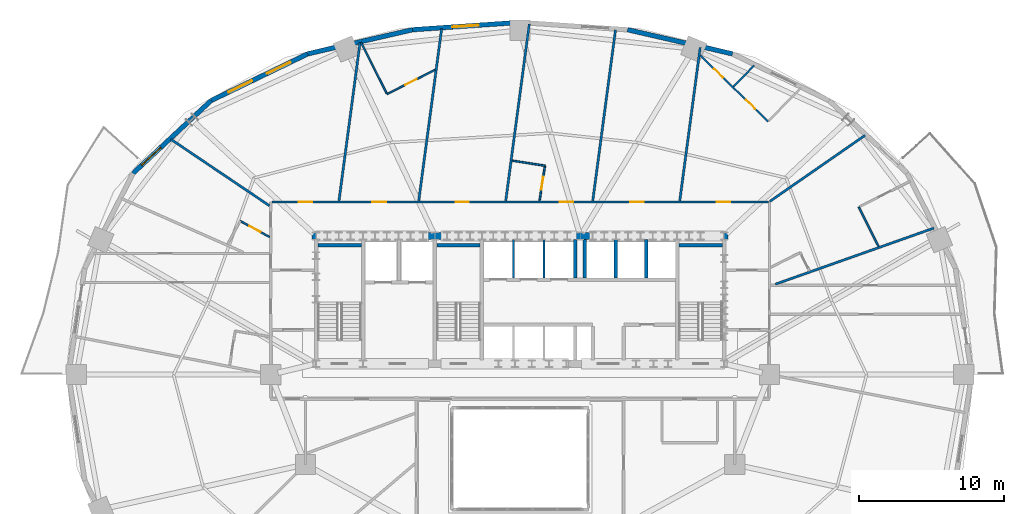
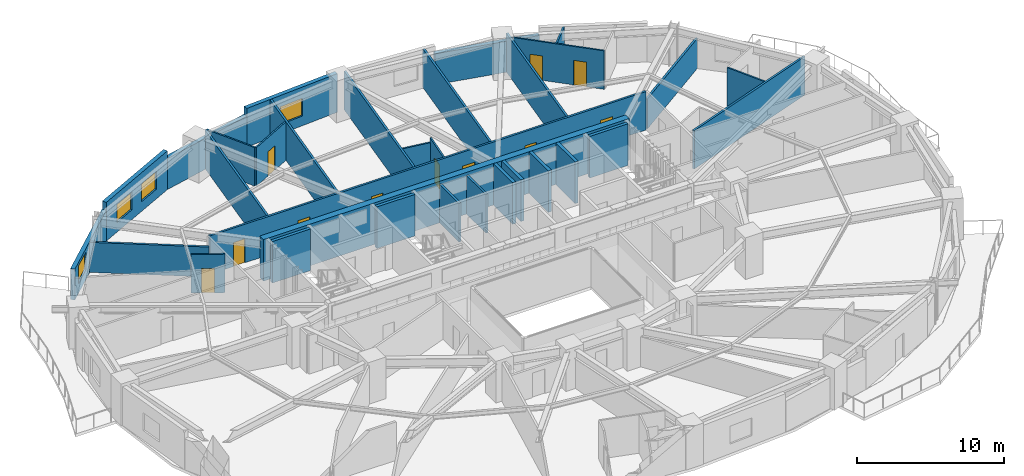
# One storey, part 12 of 17: 32 walls, 11 doors, 4 windows, 15 openings.
"""IFC4 building model written with IfcOpenShell, lengths in metres."""

from ifc_helpers import new_model, si_unit, direction, frame, frame_2d, origin, place, context, subcontext, project, spatial, rectangle, extrude, material, layer, layer_set, type_object, element, fill, save


model = new_model("IFC4")

# Units and contexts
model_context = context("Model", 3, precision=1e-05, world=origin(), true_north=direction((0.0, 1.0)))
body_context = subcontext(model_context, "Body", "Model", "MODEL_VIEW")
ifc_project = project(units=[si_unit("LENGTHUNIT", "METRE"), si_unit("AREAUNIT", "SQUARE_METRE"), si_unit("VOLUMEUNIT", "CUBIC_METRE"), si_unit("PLANEANGLEUNIT", "RADIAN"), si_unit("MASSUNIT", "GRAM", prefix="KILO")], contexts=[model_context])

# Site, building, storey
site_placement = place(None, origin())
site = spatial("IfcSite", under=ifc_project, at=site_placement, CompositionType="ELEMENT")
building_placement = place(site_placement, origin())
building = spatial("IfcBuilding", under=site, at=building_placement, Name="Haldorwick Loom Tower", CompositionType="ELEMENT")
storey_placement = place(building_placement, frame((0.0, 0.0, 51.60009765625)))
storey = spatial("IfcBuildingStorey", under=building, at=storey_placement, Name="L13", CompositionType="ELEMENT", Elevation=51.60009765625)

# Wall
ifc_material_1 = material(Name="Pressed Clay Face Brick and Insulated Masonry Backup Assembly", Category="masonry")
ifc_layer_1 = layer(ifc_material_1, 0.320068359375, Name="Pressed Clay Face Brick and Insulated Masonry Backup Assembly", Category="masonry")
ifc_layer_set_1 = layer_set([ifc_layer_1], Name="Pressed Clay Face Brick and Insulated Masonry Backup Assembly")
wall_type_1 = type_object("IfcWallType", Name="ARC-WL-EXT320", PredefinedType="STANDARD", material=ifc_layer_set_1)
wall_1_placement = place(storey_placement, frame((50.644775390625, 48.11572265625, 0.0), z_axis=(0.0, 0.0, 1.0), x_axis=(-0.974522412345, 0.224290142088, 0.0)))
element("IfcWall", 1, at=wall_1_placement, inside=storey, type_object=wall_type_1, Name="L13 Brick Pier and Spandrel Wall 5", PredefinedType="STANDARD", context=body_context, shape_type="SweptSolid", body=[
    extrude(rectangle(XDim=7.422607421875, YDim=0.320068359375, at=frame_2d((3.71142578125, 0.0))), origin(), (0.0, 0.0, 1.0), 2.56884765625),
])

# Wall, opening, window
wall_2_placement = place(storey_placement, frame((36.0, 50.2900390625, 0.0), z_axis=(0.0, 0.0, 1.0), x_axis=(-0.997645161917, -0.068586667092, 0.0)))
wall_2 = element("IfcWall", 2, at=wall_2_placement, inside=storey, type_object=wall_type_1, Name="L13 Brick Pier and Spandrel Wall 7", PredefinedType="STANDARD", context=body_context, shape_type="SweptSolid", body=[
    extrude(rectangle(XDim=7.428955078125, YDim=0.320068359375, at=frame_2d((3.71435546875, 0.0))), origin(), (0.0, 0.0, 1.0), 3.2099609375),
])
opening_1_placement = place(wall_2_placement, frame((2.874755859375, 0.0, 0.800048828125)))
opening_1 = element("IfcOpeningElement", 3, at=opening_1_placement, cuts=wall_2, Name="Opening W-01", PredefinedType="OPENING", context=body_context, shape_type="SweptSolid", body=[
    extrude(rectangle(XDim=1.800048828125, YDim=1.47998046875, at=frame_2d((0.89990234375, 0.739990234375))), frame((0.0, 0.169921875, 0.0), z_axis=(0.0, -1.0, 0.0), x_axis=(1.0, 0.0, 0.0)), (0.0, 0.0, 1.0), 0.340087890625),
])
ifc_material_2 = material(Name="Triple-Glazed Low-E Argon Insulated Glazing Unit", Category="glass")
window_type = type_object("IfcWindowType", Name="ARC-WIN-W180", PartitioningType="SINGLE_PANEL", PredefinedType="WINDOW", material=ifc_material_2)
window_1_placement = place(opening_1_placement, origin())
window_1 = element("IfcWindow", 4, at=window_1_placement, inside=storey, type_object=window_type, Name="L13 Deep-Set Zone 7A Window 7", OverallHeight=1.47998046875, OverallWidth=1.800048828125, PartitioningType="SINGLE_PANEL", PredefinedType="WINDOW", context=body_context, shape_type="SweptSolid", body=[
    extrude(rectangle(XDim=1.800048828125, YDim=1.47998046875, at=frame_2d((0.89990234375, 0.739990234375))), frame((0.0, 0.030029296875, 0.0), z_axis=(0.0, -1.0, 0.0), x_axis=(1.0, 0.0, 0.0)), (0.0, 0.0, 1.0), 0.06005859375),
])
fill(opening_1, window_1)

# Wall
wall_3_placement = place(storey_placement, frame((28.588623046875, 49.780517578125, 0.0), z_axis=(0.0, 0.0, 1.0), x_axis=(-0.974522412345, -0.224290142088, 0.0)))
element("IfcWall", 5, at=wall_3_placement, inside=storey, type_object=wall_type_1, Name="L13 Brick Pier and Spandrel Wall 8", PredefinedType="STANDARD", context=body_context, shape_type="SweptSolid", body=[
    extrude(rectangle(XDim=7.422607421875, YDim=0.320068359375, at=frame_2d((3.71142578125, 0.0))), origin(), (0.0, 0.0, 1.0), 2.56884765625),
])

# Wall, openings, windows
wall_4_placement = place(storey_placement, frame((21.355224609375, 48.11572265625, 0.0), z_axis=(0.0, 0.0, 1.0), x_axis=(-0.900295710431, -0.435278800057, 0.0)))
wall_4 = element("IfcWall", 6, at=wall_4_placement, inside=storey, type_object=wall_type_1, Name="L13 Brick Pier and Spandrel Wall 9", PredefinedType="STANDARD", context=body_context, shape_type="SweptSolid", body=[
    extrude(rectangle(XDim=7.39697265625, YDim=0.320068359375, at=frame_2d((3.698486328125, 0.0))), origin(), (0.0, 0.0, 1.0), 3.2099609375),
])
opening_2_placement = place(wall_4_placement, frame((1.319091796875, 0.0, 0.800048828125)))
opening_2 = element("IfcOpeningElement", 7, at=opening_2_placement, cuts=wall_4, Name="Opening W-01", PredefinedType="OPENING", context=body_context, shape_type="SweptSolid", body=[
    extrude(rectangle(XDim=1.800048828125, YDim=1.47998046875, at=frame_2d((0.89990234375, 0.739990234375))), frame((0.0, 0.169921875, 0.0), z_axis=(0.0, -1.0, 0.0), x_axis=(1.0, 0.0, 0.0)), (0.0, 0.0, 1.0), 0.340087890625),
])
opening_3_placement = place(wall_4_placement, frame((4.27783203125, 0.0, 0.800048828125)))
opening_3 = element("IfcOpeningElement", 8, at=opening_3_placement, cuts=wall_4, Name="Opening W-01", PredefinedType="OPENING", context=body_context, shape_type="SweptSolid", body=[
    extrude(rectangle(XDim=1.800048828125, YDim=1.47998046875, at=frame_2d((0.89990234375, 0.739990234375))), frame((0.0, 0.169921875, 0.0), z_axis=(0.0, -1.0, 0.0), x_axis=(1.0, 0.0, 0.0)), (0.0, 0.0, 1.0), 0.340087890625),
])
window_2_placement = place(opening_2_placement, origin())
window_2 = element("IfcWindow", 9, at=window_2_placement, inside=storey, type_object=window_type, Name="L13 Deep-Set Zone 7A Window 9", OverallHeight=1.47998046875, OverallWidth=1.800048828125, PartitioningType="SINGLE_PANEL", PredefinedType="WINDOW", context=body_context, shape_type="SweptSolid", body=[
    extrude(rectangle(XDim=1.800048828125, YDim=1.47998046875, at=frame_2d((0.89990234375, 0.739990234375))), frame((0.0, 0.030029296875, 0.0), z_axis=(0.0, -1.0, 0.0), x_axis=(1.0, 0.0, 0.0)), (0.0, 0.0, 1.0), 0.06005859375),
])
fill(opening_2, window_2)
window_3_placement = place(opening_3_placement, origin())
window_3 = element("IfcWindow", 10, at=window_3_placement, inside=storey, type_object=window_type, Name="L13 Deep-Set Zone 7A Window 9", OverallHeight=1.47998046875, OverallWidth=1.800048828125, PartitioningType="SINGLE_PANEL", PredefinedType="WINDOW", context=body_context, shape_type="SweptSolid", body=[
    extrude(rectangle(XDim=1.800048828125, YDim=1.47998046875, at=frame_2d((0.89990234375, 0.739990234375))), frame((0.0, 0.030029296875, 0.0), z_axis=(0.0, -1.0, 0.0), x_axis=(1.0, 0.0, 0.0)), (0.0, 0.0, 1.0), 0.06005859375),
])
fill(opening_3, window_3)

# Wall, opening, window
wall_5_placement = place(storey_placement, frame((14.69580078125, 44.89599609375, 0.0), z_axis=(0.0, 0.0, 1.0), x_axis=(-0.73176101237, -0.681561311091, 0.0)))
wall_5 = element("IfcWall", 11, at=wall_5_placement, inside=storey, type_object=wall_type_1, Name="L13 Brick Pier and Spandrel Wall 10", PredefinedType="STANDARD", context=body_context, shape_type="SweptSolid", body=[
    extrude(rectangle(XDim=7.3583984375, YDim=0.320068359375, at=frame_2d((3.67919921875, 0.0))), origin(), (0.0, 0.0, 1.0), 2.56884765625),
])
opening_4_placement = place(wall_5_placement, frame((4.736572265625, 0.0, 0.800048828125)))
opening_4 = element("IfcOpeningElement", 12, at=opening_4_placement, cuts=wall_5, Name="Opening W-01", PredefinedType="OPENING", context=body_context, shape_type="SweptSolid", body=[
    extrude(rectangle(XDim=1.800048828125, YDim=1.47998046875, at=frame_2d((0.89990234375, 0.739990234375))), frame((0.0, 0.169921875, 0.0), z_axis=(0.0, -1.0, 0.0), x_axis=(1.0, 0.0, 0.0)), (0.0, 0.0, 1.0), 0.340087890625),
])
window_4_placement = place(opening_4_placement, origin())
window_4 = element("IfcWindow", 13, at=window_4_placement, inside=storey, type_object=window_type, Name="L13 Deep-Set Zone 7A Window 10", OverallHeight=1.47998046875, OverallWidth=1.800048828125, PartitioningType="SINGLE_PANEL", PredefinedType="WINDOW", context=body_context, shape_type="SweptSolid", body=[
    extrude(rectangle(XDim=1.800048828125, YDim=1.47998046875, at=frame_2d((0.89990234375, 0.739990234375))), frame((0.0, 0.030029296875, 0.0), z_axis=(0.0, -1.0, 0.0), x_axis=(1.0, 0.0, 0.0)), (0.0, 0.0, 1.0), 0.06005859375),
])
fill(opening_4, window_4)

# Wall, openings, doors
ifc_material_3 = material(Name="Fire-Rated Type X Gypsum Stud Assembly EI 60")
ifc_layer_2 = layer(ifc_material_3, 0.159912109375, Name="Fire-Rated Type X Gypsum Stud Assembly EI 60")
ifc_layer_set_2 = layer_set([ifc_layer_2], Name="Fire-Rated Type X Gypsum Stud Assembly EI 60")
wall_type_2 = type_object("IfcWallType", Name="ARC-WL-FIRE160", PredefinedType="PARTITIONING", material=ifc_layer_set_2)
wall_6_placement = place(storey_placement, frame((18.883056640625, 37.89990234375, 0.0), z_axis=(0.0, 0.0, 1.0), x_axis=(1.0, 0.0, 0.0)))
wall_6 = element("IfcWall", 14, at=wall_6_placement, inside=storey, type_object=wall_type_2, Name="L13 Residential Fire Partition L13-CR-N0", PredefinedType="PARTITIONING", context=body_context, shape_type="SweptSolid", body=[
    extrude(rectangle(XDim=34.23388671875, YDim=0.159912109375, at=frame_2d((17.116943359375, 0.0))), origin(), (0.0, 0.0, 1.0), 3.19482421875),
])
opening_5_placement = place(wall_6_placement, frame((30.6669921875, 0.0, 0.0)))
opening_5 = element("IfcOpeningElement", 15, at=opening_5_placement, cuts=wall_6, Name="Opening D-FL95", PredefinedType="OPENING", context=body_context, shape_type="SweptSolid", body=[
    extrude(rectangle(XDim=0.949951171875, YDim=2.0400390625, at=frame_2d((0.47509765625, 1.02001953125))), frame((0.0, 0.08984375, 0.0), z_axis=(0.0, -1.0, 0.0), x_axis=(1.0, 0.0, 0.0)), (0.0, 0.0, 1.0), 0.179931640625),
])
opening_6_placement = place(wall_6_placement, frame((24.728515625, 0.0, 0.0)))
opening_6 = element("IfcOpeningElement", 16, at=opening_6_placement, cuts=wall_6, Name="Opening D-FD60A", PredefinedType="OPENING", context=body_context, shape_type="SweptSolid", body=[
    extrude(rectangle(XDim=0.89990234375, YDim=2.0, at=frame_2d((0.449951171875, 1.0))), frame((0.0, 0.08984375, 0.0), z_axis=(0.0, -1.0, 0.0), x_axis=(1.0, 0.0, 0.0)), (0.0, 0.0, 1.0), 0.179931640625),
])
opening_7_placement = place(wall_6_placement, frame((12.69140625, 0.0, 0.0)))
opening_7 = element("IfcOpeningElement", 17, at=opening_7_placement, cuts=wall_6, Name="Opening D-FD60A", PredefinedType="OPENING", context=body_context, shape_type="SweptSolid", body=[
    extrude(rectangle(XDim=0.89990234375, YDim=2.0, at=frame_2d((0.449951171875, 1.0))), frame((0.0, 0.08984375, 0.0), z_axis=(0.0, -1.0, 0.0), x_axis=(1.0, 0.0, 0.0)), (0.0, 0.0, 1.0), 0.179931640625),
])
opening_8_placement = place(wall_6_placement, frame((6.924072265625, 0.0, 0.0)))
opening_8 = element("IfcOpeningElement", 18, at=opening_8_placement, cuts=wall_6, Name="Opening D-FL95", PredefinedType="OPENING", context=body_context, shape_type="SweptSolid", body=[
    extrude(rectangle(XDim=0.949951171875, YDim=2.0400390625, at=frame_2d((0.47509765625, 1.02001953125))), frame((0.0, 0.08984375, 0.0), z_axis=(0.0, -1.0, 0.0), x_axis=(1.0, 0.0, 0.0)), (0.0, 0.0, 1.0), 0.179931640625),
])
opening_9_placement = place(wall_6_placement, frame((1.869140625, 0.0, 0.0)))
opening_9 = element("IfcOpeningElement", 19, at=opening_9_placement, cuts=wall_6, Name="Opening D-FD60A", PredefinedType="OPENING", context=body_context, shape_type="SweptSolid", body=[
    extrude(rectangle(XDim=0.89990234375, YDim=2.0, at=frame_2d((0.449951171875, 1.0))), frame((0.0, 0.08984375, 0.0), z_axis=(0.0, -1.0, 0.0), x_axis=(1.0, 0.0, 0.0)), (0.0, 0.0, 1.0), 0.179931640625),
])
opening_10_placement = place(wall_6_placement, frame((19.844482421875, 0.0, 0.0)))
opening_10 = element("IfcOpeningElement", 20, at=opening_10_placement, cuts=wall_6, Name="Opening D-FL95", PredefinedType="OPENING", context=body_context, shape_type="SweptSolid", body=[
    extrude(rectangle(XDim=0.949951171875, YDim=2.0400390625, at=frame_2d((0.47509765625, 1.02001953125))), frame((0.0, 0.08984375, 0.0), z_axis=(0.0, -1.0, 0.0), x_axis=(1.0, 0.0, 0.0)), (0.0, 0.0, 1.0), 0.179931640625),
])
ifc_material_4 = material(Name="Hollow Steel Fire Door Assembly", Category="steel")
door_type_1 = type_object("IfcDoorType", Name="ARC-DR-FD60-90", OperationType="NOTDEFINED", PredefinedType="DOOR", material=ifc_material_4)
door_1_placement = place(opening_6_placement, frame((0.89990234375, 0.0, 0.0), z_axis=(0.0, 0.0, 1.0), x_axis=(-1.0, 0.0, 0.0)))
door_1 = element("IfcDoor", 21, at=door_1_placement, inside=storey, type_object=door_type_1, Name="L13 Co-Working Open Office 5 to L13 North Residential Corridor Door", OperationType="SINGLE_SWING_RIGHT", OverallHeight=2.0, OverallWidth=0.89990234375, PredefinedType="DOOR", context=body_context, shape_type="SweptSolid", body=[
    extrude(rectangle(XDim=0.89990234375, YDim=2.0, at=frame_2d((0.449951171875, 1.0))), frame((0.0, 0.02490234375, 0.0), z_axis=(0.0, -1.0, 0.0), x_axis=(1.0, 0.0, 0.0)), (0.0, 0.0, 1.0), 0.050048828125),
])
fill(opening_6, door_1)
door_2_placement = place(opening_7_placement, frame((0.89990234375, 0.0, 0.0), z_axis=(0.0, 0.0, 1.0), x_axis=(-1.0, 0.0, 0.0)))
door_2 = element("IfcDoor", 22, at=door_2_placement, inside=storey, type_object=door_type_1, Name="L13 Co-Working Open Office 8 to L13 North Residential Corridor Door", OperationType="SINGLE_SWING_LEFT", OverallHeight=2.0, OverallWidth=0.89990234375, PredefinedType="DOOR", context=body_context, shape_type="SweptSolid", body=[
    extrude(rectangle(XDim=0.89990234375, YDim=2.0, at=frame_2d((0.449951171875, 1.0))), frame((0.0, 0.02490234375, 0.0), z_axis=(0.0, -1.0, 0.0), x_axis=(1.0, 0.0, 0.0)), (0.0, 0.0, 1.0), 0.050048828125),
])
fill(opening_7, door_2)
door_3_placement = place(opening_9_placement, frame((0.89990234375, 0.0, 0.0), z_axis=(0.0, 0.0, 1.0), x_axis=(-1.0, 0.0, 0.0)))
door_3 = element("IfcDoor", 23, at=door_3_placement, inside=storey, type_object=door_type_1, Name="L13 Co-Working Open Office 13 to L13 North Residential Corridor Door", OperationType="SINGLE_SWING_LEFT", OverallHeight=2.0, OverallWidth=0.89990234375, PredefinedType="DOOR", context=body_context, shape_type="SweptSolid", body=[
    extrude(rectangle(XDim=0.89990234375, YDim=2.0, at=frame_2d((0.449951171875, 1.0))), frame((0.0, 0.02490234375, 0.0), z_axis=(0.0, -1.0, 0.0), x_axis=(1.0, 0.0, 0.0)), (0.0, 0.0, 1.0), 0.050048828125),
])
fill(opening_9, door_3)
ifc_material_5 = material(Name="Solid Core Birch Architectural Door")
door_type_2 = type_object("IfcDoorType", Name="ARC-DR-FLAT95", OperationType="NOTDEFINED", PredefinedType="DOOR", material=ifc_material_5)
door_4_placement = place(opening_5_placement, frame((0.949951171875, 0.0, 0.0), z_axis=(0.0, 0.0, 1.0), x_axis=(-1.0, 0.0, 0.0)))
door_4 = element("IfcDoor", 24, at=door_4_placement, inside=storey, type_object=door_type_2, Name="L13 Unit 13K Kitchen and Living Room to L13 North Residential Corridor D", OperationType="SINGLE_SWING_LEFT", OverallHeight=2.0400390625, OverallWidth=0.949951171875, PredefinedType="DOOR", context=body_context, shape_type="SweptSolid", body=[
    extrude(rectangle(XDim=0.949951171875, YDim=2.0400390625, at=frame_2d((0.47509765625, 1.02001953125))), frame((0.0, 0.02490234375, 0.0), z_axis=(0.0, -1.0, 0.0), x_axis=(1.0, 0.0, 0.0)), (0.0, 0.0, 1.0), 0.050048828125),
])
fill(opening_5, door_4)
door_5_placement = place(opening_8_placement, frame((0.949951171875, 0.0, 0.0), z_axis=(0.0, 0.0, 1.0), x_axis=(-1.0, 0.0, 0.0)))
door_5 = element("IfcDoor", 25, at=door_5_placement, inside=storey, type_object=door_type_2, Name="L13 Unit 13F Kitchen and Studio Living Room to L13 North Residential Cor", OperationType="SINGLE_SWING_RIGHT", OverallHeight=2.0400390625, OverallWidth=0.949951171875, PredefinedType="DOOR", context=body_context, shape_type="SweptSolid", body=[
    extrude(rectangle(XDim=0.949951171875, YDim=2.0400390625, at=frame_2d((0.47509765625, 1.02001953125))), frame((0.0, 0.02490234375, 0.0), z_axis=(0.0, -1.0, 0.0), x_axis=(1.0, 0.0, 0.0)), (0.0, 0.0, 1.0), 0.050048828125),
])
fill(opening_8, door_5)
door_6_placement = place(opening_10_placement, frame((0.949951171875, 0.0, 0.0), z_axis=(0.0, 0.0, 1.0), x_axis=(-1.0, 0.0, 0.0)))
door_6 = element("IfcDoor", 26, at=door_6_placement, inside=storey, type_object=door_type_2, Name="L13 Unit 13G Kitchen and Studio Living Room to L13 North Residential Cor", OperationType="SINGLE_SWING_RIGHT", OverallHeight=2.0400390625, OverallWidth=0.949951171875, PredefinedType="DOOR", context=body_context, shape_type="SweptSolid", body=[
    extrude(rectangle(XDim=0.949951171875, YDim=2.0400390625, at=frame_2d((0.47509765625, 1.02001953125))), frame((0.0, 0.02490234375, 0.0), z_axis=(0.0, -1.0, 0.0), x_axis=(1.0, 0.0, 0.0)), (0.0, 0.0, 1.0), 0.050048828125),
])
fill(opening_10, door_6)

# Walls
wall_7_placement = place(storey_placement, frame((23.510986328125, 37.98291015625, 0.0), z_axis=(0.0, 0.0, 1.0), x_axis=(0.131887293248, 0.991264718367, 0.0)))
element("IfcWall", 27, at=wall_7_placement, inside=storey, type_object=wall_type_2, Name="L13 Residential Fire Partition L13-UPN-14", PredefinedType="PARTITIONING", context=body_context, shape_type="SweptSolid", body=[
    extrude(rectangle(XDim=10.991943359375, YDim=0.159912109375, at=frame_2d((5.49609375, 0.0))), origin(), (0.0, 0.0, 1.0), 3.19482421875),
])
wall_8_placement = place(storey_placement, frame((29.010986328125, 37.98291015625, 0.0), z_axis=(0.0, 0.0, 1.0), x_axis=(0.131892611643, 0.991264010743, 0.0)))
element("IfcWall", 28, at=wall_8_placement, inside=storey, type_object=wall_type_2, Name="L13 Residential Fire Partition L13-UPN-15", PredefinedType="PARTITIONING", context=body_context, shape_type="SweptSolid", body=[
    extrude(rectangle(XDim=11.974365234375, YDim=0.159912109375, at=frame_2d((5.9873046875, 0.0))), origin(), (0.0, 0.0, 1.0), 3.19482421875),
])
wall_9_placement = place(storey_placement, frame((35.010986328125, 37.98291015625, 0.0), z_axis=(0.0, 0.0, 1.0), x_axis=(0.131871324026, 0.991266842934, 0.0)))
element("IfcWall", 29, at=wall_9_placement, inside=storey, type_object=wall_type_2, Name="L13 Residential Fire Partition L13-UPN-16", PredefinedType="PARTITIONING", context=body_context, shape_type="SweptSolid", body=[
    extrude(rectangle(XDim=12.305908203125, YDim=0.159912109375, at=frame_2d((6.15283203125, 0.0))), origin(), (0.0, 0.0, 1.0), 3.19482421875),
])
wall_10_placement = place(storey_placement, frame((41.010986328125, 37.98291015625, 0.0), z_axis=(0.0, 0.0, 1.0), x_axis=(0.131888075112, 0.99126461434, 0.0)))
element("IfcWall", 30, at=wall_10_placement, inside=storey, type_object=wall_type_2, Name="L13 Residential Fire Partition L13-UPN-17", PredefinedType="PARTITIONING", context=body_context, shape_type="SweptSolid", body=[
    extrude(rectangle(XDim=11.8935546875, YDim=0.159912109375, at=frame_2d((5.94677734375, 0.0))), origin(), (0.0, 0.0, 1.0), 3.19482421875),
])
wall_11_placement = place(storey_placement, frame((47.010986328125, 37.98291015625, 0.0), z_axis=(0.0, 0.0, 1.0), x_axis=(0.131889483292, 0.991264426981, 0.0)))
element("IfcWall", 31, at=wall_11_placement, inside=storey, type_object=wall_type_2, Name="L13 Residential Fire Partition L13-UPN-18", PredefinedType="PARTITIONING", context=body_context, shape_type="SweptSolid", body=[
    extrude(rectangle(XDim=10.671630859375, YDim=0.159912109375, at=frame_2d((5.3359375, 0.0))), origin(), (0.0, 0.0, 1.0), 3.19482421875),
])
wall_12_placement = place(storey_placement, frame((53.60693359375, 32.23291015625, 0.0), z_axis=(0.0, 0.0, 1.0), x_axis=(0.942668773829, 0.333729805152, 0.0)))
element("IfcWall", 32, at=wall_12_placement, inside=storey, type_object=wall_type_2, Name="L13 Suite Split Wall", PredefinedType="PARTITIONING", context=body_context, shape_type="SweptSolid", body=[
    extrude(rectangle(XDim=11.59375, YDim=0.159912109375, at=frame_2d((5.796875, 0.0))), origin(), (0.0, 0.0, 1.0), 3.19482421875),
])
wall_13_placement = place(storey_placement, frame((53.21630859375, 37.93994140625, 0.0), z_axis=(0.0, 0.0, 1.0), x_axis=(0.821714778091, 0.569898958998, 0.0)))
element("IfcWall", 33, at=wall_13_placement, inside=storey, type_object=wall_type_2, Name="L13 Suite Split Wall", PredefinedType="PARTITIONING", context=body_context, shape_type="SweptSolid", body=[
    extrude(rectangle(XDim=7.99462890625, YDim=0.159912109375, at=frame_2d((3.997314453125, 0.0))), origin(), (0.0, 0.0, 1.0), 2.489990234375),
])
wall_14_placement = place(storey_placement, frame((18.717041015625, 37.6435546875, 0.0), z_axis=(0.0, 0.0, 1.0), x_axis=(-0.829350156304, 0.558729199378, 0.0)))
element("IfcWall", 34, at=wall_14_placement, inside=storey, type_object=wall_type_2, Name="L13 Suite Split Wall", PredefinedType="PARTITIONING", context=body_context, shape_type="SweptSolid", body=[
    extrude(rectangle(XDim=8.195068359375, YDim=0.159912109375, at=frame_2d((4.09765625, 0.0))), origin(), (0.0, 0.0, 1.0), 2.489990234375),
])

# Wall, opening, door
ifc_material_6 = material(Name="Acoustic Gypsum Stud Assembly STC 55")
ifc_layer_3 = layer(ifc_material_6, 0.1201171875, Name="Acoustic Gypsum Stud Assembly STC 55")
ifc_layer_set_3 = layer_set([ifc_layer_3], Name="Acoustic Gypsum Stud Assembly STC 55")
wall_type_3 = type_object("IfcWallType", Name="ARC-WL-PART120", PredefinedType="PARTITIONING", material=ifc_layer_set_3)
wall_15_placement = place(storey_placement, frame((30.127685546875, 47.004638671875, 0.0), z_axis=(0.0, 0.0, 1.0), x_axis=(-0.892756984932, -0.450538528713, 0.0)))
wall_15 = element("IfcWall", 35, at=wall_15_placement, inside=storey, type_object=wall_type_3, Name="L13 Unit 13F Interior Partition", PredefinedType="PARTITIONING", context=body_context, shape_type="SweptSolid", body=[
    extrude(rectangle(XDim=3.697265625, YDim=0.1201171875, at=frame_2d((1.8486328125, 0.0))), origin(), (0.0, 0.0, 1.0), 3.19482421875),
])
opening_11_placement = place(wall_15_placement, frame((1.40869140625, 0.0, 0.0)))
opening_11 = element("IfcOpeningElement", 36, at=opening_11_placement, cuts=wall_15, Name="Opening D-BT88", PredefinedType="OPENING", context=body_context, shape_type="SweptSolid", body=[
    extrude(rectangle(XDim=0.8798828125, YDim=2.02001953125, at=frame_2d((0.43994140625, 1.010009765625))), frame((0.0, 0.070068359375, 0.0), z_axis=(0.0, -1.0, 0.0), x_axis=(1.0, 0.0, 0.0)), (0.0, 0.0, 1.0), 0.14013671875),
])
door_type_3 = type_object("IfcDoorType", Name="ARC-DR-BATH88", OperationType="NOTDEFINED", PredefinedType="DOOR", material=ifc_material_5)
door_7_placement = place(opening_11_placement, origin())
door_7 = element("IfcDoor", 37, at=door_7_placement, inside=storey, type_object=door_type_3, Name="L13 Unit 13F Kitchen and Studio Living Room to Unit 13F Bathroom Door", OperationType="SINGLE_SWING_RIGHT", OverallHeight=2.02001953125, OverallWidth=0.8798828125, PredefinedType="DOOR", context=body_context, shape_type="SweptSolid", body=[
    extrude(rectangle(XDim=0.8798828125, YDim=2.02001953125, at=frame_2d((0.43994140625, 1.010009765625))), frame((0.0, 0.02490234375, 0.0), z_axis=(0.0, -1.0, 0.0), x_axis=(1.0, 0.0, 0.0)), (0.0, 0.0, 1.0), 0.050048828125),
])
fill(opening_11, door_7)

# Walls
wall_16_placement = place(storey_placement, frame((26.79833984375, 45.39501953125, 0.0), z_axis=(0.0, 0.0, 1.0), x_axis=(-0.450526516903, 0.892763046708, 0.0)))
element("IfcWall", 38, at=wall_16_placement, inside=storey, type_object=wall_type_3, Name="L13 Unit 13F Interior Partition", PredefinedType="PARTITIONING", context=body_context, shape_type="SweptSolid", body=[
    extrude(rectangle(XDim=3.916748046875, YDim=0.1201171875, at=frame_2d((1.95849609375, 0.0))), origin(), (0.0, 0.0, 1.0), 3.19482421875),
])
wall_17_placement = place(storey_placement, frame((37.716796875, 40.402099609375, 0.0), z_axis=(0.0, 0.0, 1.0), x_axis=(-0.988131638299, 0.153609457367, 0.0)))
element("IfcWall", 39, at=wall_17_placement, inside=storey, type_object=wall_type_3, Name="L13 Unit 13G Interior Partition", PredefinedType="PARTITIONING", context=body_context, shape_type="SweptSolid", body=[
    extrude(rectangle(XDim=2.28076171875, YDim=0.1201171875, at=frame_2d((1.140380859375, 0.0))), origin(), (0.0, 0.0, 1.0), 2.826904296875),
])

# Wall, opening, door
wall_18_placement = place(storey_placement, frame((37.341064453125, 37.98291015625, 0.0), z_axis=(0.0, 0.0, 1.0), x_axis=(0.153473321851, 0.988152791566, 0.0)))
wall_18 = element("IfcWall", 40, at=wall_18_placement, inside=storey, type_object=wall_type_3, Name="L13 Unit 13G Interior Partition", PredefinedType="PARTITIONING", context=body_context, shape_type="SweptSolid", body=[
    extrude(rectangle(XDim=2.4482421875, YDim=0.1201171875, at=frame_2d((1.22412109375, 0.0))), origin(), (0.0, 0.0, 1.0), 3.19482421875),
])
opening_12_placement = place(wall_18_placement, frame((0.7841796875, 0.0, 0.0)))
opening_12 = element("IfcOpeningElement", 41, at=opening_12_placement, cuts=wall_18, Name="Opening D-BT88", PredefinedType="OPENING", context=body_context, shape_type="SweptSolid", body=[
    extrude(rectangle(XDim=0.8798828125, YDim=2.02001953125, at=frame_2d((0.43994140625, 1.010009765625))), frame((0.0, 0.070068359375, 0.0), z_axis=(0.0, -1.0, 0.0), x_axis=(1.0, 0.0, 0.0)), (0.0, 0.0, 1.0), 0.14013671875),
])
door_8_placement = place(opening_12_placement, origin())
door_8 = element("IfcDoor", 42, at=door_8_placement, inside=storey, type_object=door_type_3, Name="L13 Unit 13G Bathroom to Unit 13G Kitchen and Studio Living Room Door", OperationType="SINGLE_SWING_RIGHT", OverallHeight=2.02001953125, OverallWidth=0.8798828125, PredefinedType="DOOR", context=body_context, shape_type="SweptSolid", body=[
    extrude(rectangle(XDim=0.8798828125, YDim=2.02001953125, at=frame_2d((0.43994140625, 1.010009765625))), frame((0.0, 0.02490234375, 0.0), z_axis=(0.0, -1.0, 0.0), x_axis=(1.0, 0.0, 0.0)), (0.0, 0.0, 1.0), 0.050048828125),
])
fill(opening_12, door_8)

# Wall
wall_19_placement = place(storey_placement, frame((60.7158203125, 34.837646484375, 0.0), z_axis=(0.0, 0.0, 1.0), x_axis=(-0.449400530319, 0.893330377491, 0.0)))
element("IfcWall", 43, at=wall_19_placement, inside=storey, type_object=wall_type_3, Name="L13 Unit 13J Interior Partition", PredefinedType="PARTITIONING", context=body_context, shape_type="SweptSolid", body=[
    extrude(rectangle(XDim=3.03466796875, YDim=0.1201171875, at=frame_2d((1.517333984375, 0.0))), origin(), (0.0, 0.0, 1.0), 3.19482421875),
])

# Wall, openings, doors
wall_20_placement = place(storey_placement, frame((53.098388671875, 43.45068359375, 0.0), z_axis=(0.0, 0.0, 1.0), x_axis=(-0.716200799815, 0.697894271609, 0.0)))
wall_20 = element("IfcWall", 44, at=wall_20_placement, inside=storey, type_object=wall_type_3, Name="L13 Unit 13K Interior Partition", PredefinedType="PARTITIONING", context=body_context, shape_type="SweptSolid", body=[
    extrude(rectangle(XDim=6.521484375, YDim=0.1201171875, at=frame_2d((3.2607421875, 0.0))), origin(), (0.0, 0.0, 1.0), 3.19482421875),
])
opening_13_placement = place(wall_20_placement, frame((1.236572265625, 0.0, 0.0)))
opening_13 = element("IfcOpeningElement", 45, at=opening_13_placement, cuts=wall_20, Name="Opening D-IN90", PredefinedType="OPENING", context=body_context, shape_type="SweptSolid", body=[
    extrude(rectangle(XDim=0.89990234375, YDim=2.0400390625, at=frame_2d((0.449951171875, 1.02001953125))), frame((0.0, 0.070068359375, 0.0), z_axis=(0.0, -1.0, 0.0), x_axis=(1.0, 0.0, 0.0)), (0.0, 0.0, 1.0), 0.14013671875),
])
opening_14_placement = place(wall_20_placement, frame((4.329345703125, 0.0, 0.0)))
opening_14 = element("IfcOpeningElement", 46, at=opening_14_placement, cuts=wall_20, Name="Opening D-BT88", PredefinedType="OPENING", context=body_context, shape_type="SweptSolid", body=[
    extrude(rectangle(XDim=0.8798828125, YDim=2.02001953125, at=frame_2d((0.43994140625, 1.010009765625))), frame((0.0, 0.070068359375, 0.0), z_axis=(0.0, -1.0, 0.0), x_axis=(1.0, 0.0, 0.0)), (0.0, 0.0, 1.0), 0.14013671875),
])
door_9_placement = place(opening_14_placement, origin())
door_9 = element("IfcDoor", 47, at=door_9_placement, inside=storey, type_object=door_type_3, Name="L13 Unit 13K Kitchen and Living Room to Unit 13K Bathroom Door", OperationType="SINGLE_SWING_RIGHT", OverallHeight=2.02001953125, OverallWidth=0.8798828125, PredefinedType="DOOR", context=body_context, shape_type="SweptSolid", body=[
    extrude(rectangle(XDim=0.8798828125, YDim=2.02001953125, at=frame_2d((0.43994140625, 1.010009765625))), frame((0.0, 0.02490234375, 0.0), z_axis=(0.0, -1.0, 0.0), x_axis=(1.0, 0.0, 0.0)), (0.0, 0.0, 1.0), 0.050048828125),
])
fill(opening_14, door_9)
door_type_4 = type_object("IfcDoorType", Name="ARC-DR-INT90", OperationType="NOTDEFINED", PredefinedType="DOOR", material=ifc_material_5)
door_10_placement = place(opening_13_placement, origin())
door_10 = element("IfcDoor", 48, at=door_10_placement, inside=storey, type_object=door_type_4, Name="L13 Unit 13K Kitchen and Living Room to Unit 13K Bedroom 1 Door", OperationType="SINGLE_SWING_LEFT", OverallHeight=2.0400390625, OverallWidth=0.89990234375, PredefinedType="DOOR", context=body_context, shape_type="SweptSolid", body=[
    extrude(rectangle(XDim=0.89990234375, YDim=2.0400390625, at=frame_2d((0.449951171875, 1.02001953125))), frame((0.0, 0.02490234375, 0.0), z_axis=(0.0, -1.0, 0.0), x_axis=(1.0, 0.0, 0.0)), (0.0, 0.0, 1.0), 0.050048828125),
])
fill(opening_13, door_10)

# Wall
wall_21_placement = place(storey_placement, frame((50.718994140625, 45.857421875, 0.0), z_axis=(0.0, 0.0, 1.0), x_axis=(0.697896196061, 0.716198924548, 0.0)))
element("IfcWall", 49, at=wall_21_placement, inside=storey, type_object=wall_type_3, Name="L13 Unit 13K Interior Partition", PredefinedType="PARTITIONING", context=body_context, shape_type="SweptSolid", body=[
    extrude(rectangle(XDim=2.040771484375, YDim=0.1201171875, at=frame_2d((1.0205078125, 0.0))), origin(), (0.0, 0.0, 1.0), 3.19482421875),
])

# Wall, opening, door
wall_22_placement = place(storey_placement, frame((18.717041015625, 35.4873046875, 0.0), z_axis=(0.0, 0.0, 1.0), x_axis=(-0.877068507401, 0.480365312367, 0.0)))
wall_22 = element("IfcWall", 50, at=wall_22_placement, inside=storey, type_object=wall_type_3, Name="L13 Unit 13L Interior Partition", PredefinedType="PARTITIONING", context=body_context, shape_type="SweptSolid", body=[
    extrude(rectangle(XDim=2.293701171875, YDim=0.1201171875, at=frame_2d((1.14697265625, 0.0))), origin(), (0.0, 0.0, 1.0), 3.19482421875),
])
opening_15_placement = place(wall_22_placement, frame((0.706787109375, 0.0, 0.0)))
opening_15 = element("IfcOpeningElement", 51, at=opening_15_placement, cuts=wall_22, Name="Opening D-BT88", PredefinedType="OPENING", context=body_context, shape_type="SweptSolid", body=[
    extrude(rectangle(XDim=0.8798828125, YDim=2.02001953125, at=frame_2d((0.43994140625, 1.010009765625))), frame((0.0, 0.070068359375, 0.0), z_axis=(0.0, -1.0, 0.0), x_axis=(1.0, 0.0, 0.0)), (0.0, 0.0, 1.0), 0.14013671875),
])
door_11_placement = place(opening_15_placement, origin())
door_11 = element("IfcDoor", 52, at=door_11_placement, inside=storey, type_object=door_type_3, Name="L13 Unit 13L Bathroom to Unit 13L Kitchen and Studio Living Room Door", OperationType="SINGLE_SWING_RIGHT", OverallHeight=2.02001953125, OverallWidth=0.8798828125, PredefinedType="DOOR", context=body_context, shape_type="SweptSolid", body=[
    extrude(rectangle(XDim=0.8798828125, YDim=2.02001953125, at=frame_2d((0.43994140625, 1.010009765625))), frame((0.0, 0.02490234375, 0.0), z_axis=(0.0, -1.0, 0.0), x_axis=(1.0, 0.0, 0.0)), (0.0, 0.0, 1.0), 0.050048828125),
])
fill(opening_15, door_11)

# Walls
ifc_material_7 = material(Name="Fire-Rated Type X Gypsum Stud Assembly EI 120")
ifc_layer_4 = layer(ifc_material_7, 0.1650390625, Name="Fire-Rated Type X Gypsum Stud Assembly EI 120")
ifc_layer_set_4 = layer_set([ifc_layer_4], Name="Fire-Rated Type X Gypsum Stud Assembly EI 120")
wall_type_4 = type_object("IfcWallType", Name="ARC-WL-SHAFT160", PredefinedType="MOVABLE", material=ifc_layer_set_4)
for number, where, z_axis, x_axis, name in (
    (53, (35.550048828125, 32.673095703125, 0.0), (0.0, 0.0, 1.0), (0.0, 1.0, 0.0), "L13 Low-Rise Hoistway Divider 1"),
    (54, (37.64990234375, 32.673095703125, 0.0), (0.0, 0.0, 1.0), (0.0, 1.0, 0.0), "L13 Low-Rise Hoistway Divider 2"),
):
    element("IfcWall", number, at=place(storey_placement, frame(where, z_axis=z_axis, x_axis=x_axis)), inside=storey, type_object=wall_type_4, Name=name, PredefinedType="MOVABLE", context=body_context, shape_type="SweptSolid", body=[
        extrude(rectangle(XDim=2.6240234375, YDim=0.159912109375, at=frame_2d((1.31201171875, 0.0))), origin(), (0.0, 0.0, 1.0), 3.19482421875),
    ])
ifc_material_8 = material(Name="Concrete C60 (60 MPa)", Category="concrete")
ifc_layer_5 = layer(ifc_material_8, 0.5, Name="Concrete C60 (60 MPa)", Category="concrete")
ifc_layer_set_5 = layer_set([ifc_layer_5], Name="Concrete C60 (60 MPa)")
wall_type_5 = type_object("IfcWallType", Name="STR-WL-CORE500", PredefinedType="SHEAR", material=ifc_layer_set_5)
wall_23_placement = place(storey_placement, frame((50.35009765625, 35.550048828125, 0.0), z_axis=(0.0, 0.0, 1.0), x_axis=(-1.0, 0.0, 0.0)))
element("IfcWall", 55, at=wall_23_placement, inside=storey, type_object=wall_type_5, Name="L13 Core Shear Wall N", PredefinedType="SHEAR", context=body_context, shape_type="SweptSolid", body=[
    extrude(rectangle(XDim=28.7001953125, YDim=0.5, at=frame_2d((14.35009765625, 0.0))), origin(), (0.0, 0.0, 1.0), 3.449951171875),
])
ifc_material_9 = material(Name="Concrete C50 (50 MPa)", Category="concrete")
ifc_layer_6 = layer(ifc_material_9, 0.239990234375, Name="Concrete C50 (50 MPa)", Category="concrete")
ifc_layer_set_6 = layer_set([ifc_layer_6], Name="Concrete C50 (50 MPa)")
wall_type_6 = type_object("IfcWallType", Name="STR-WL-SHAFT240", PredefinedType="SHEAR", material=ifc_layer_set_6)
for number, where, z_axis, x_axis, name in (
    (56, (22.052978515625, 34.919921875, 0.0), (0.0, 0.0, 1.0), (1.0, 0.0, 0.0), "L13 Core Shear Wall 1N"),
    (57, (30.2529296875, 34.919921875, 0.0), (0.0, 0.0, 1.0), (1.0, 0.0, 0.0), "L13 Core Shear Wall 3N"),
    (58, (46.952880859375, 34.919921875, 0.0), (0.0, 0.0, 1.0), (1.0, 0.0, 0.0), "L13 Core Shear Wall 4N"),
):
    element("IfcWall", number, at=place(storey_placement, frame(where, z_axis=z_axis, x_axis=x_axis)), inside=storey, type_object=wall_type_6, Name=name, PredefinedType="SHEAR", context=body_context, shape_type="SweptSolid", body=[
        extrude(rectangle(XDim=2.994140625, YDim=0.239990234375, at=frame_2d((1.4970703125, 0.0))), origin(), (0.0, 0.0, 1.0), 3.449951171875),
    ])
for number, where, z_axis, x_axis, name in (
    (59, (39.800048828125, 32.673095703125, 0.0), (0.0, 0.0, 1.0), (0.0, 1.0, 0.0), "L13 Core Shear Wall LHW"),
    (60, (40.449951171875, 32.673095703125, 0.0), (0.0, 0.0, 1.0), (0.0, 1.0, 0.0), "L13 Core Shear Wall H0"),
    (61, (42.60009765625, 32.673095703125, 0.0), (0.0, 0.0, 1.0), (0.0, 1.0, 0.0), "L13 Core Shear Wall H1"),
    (62, (44.699951171875, 32.673095703125, 0.0), (0.0, 0.0, 1.0), (0.0, 1.0, 0.0), "L13 Core Shear Wall H2"),
):
    element("IfcWall", number, at=place(storey_placement, frame(where, z_axis=z_axis, x_axis=x_axis)), inside=storey, type_object=wall_type_6, Name=name, PredefinedType="SHEAR", context=body_context, shape_type="SweptSolid", body=[
        extrude(rectangle(XDim=2.6240234375, YDim=0.239990234375, at=frame_2d((1.31201171875, 0.0))), origin(), (0.0, 0.0, 1.0), 3.449951171875),
    ])

save(model, "model.ifc")
